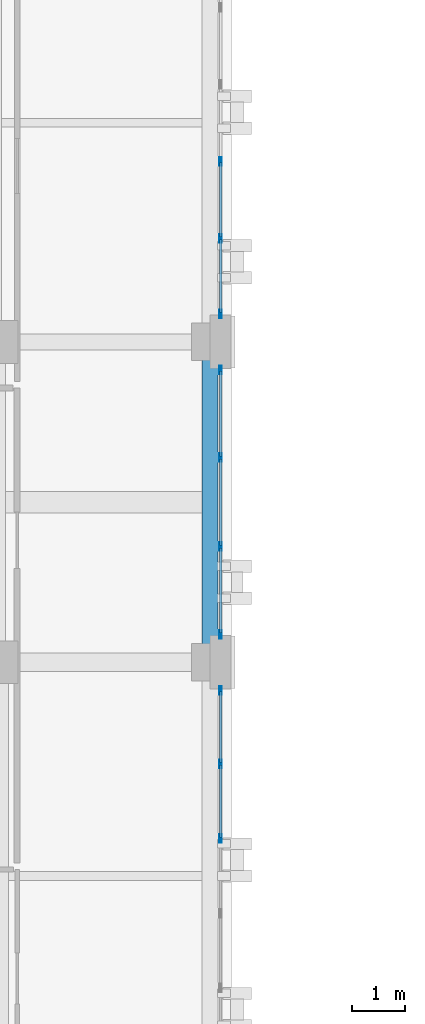
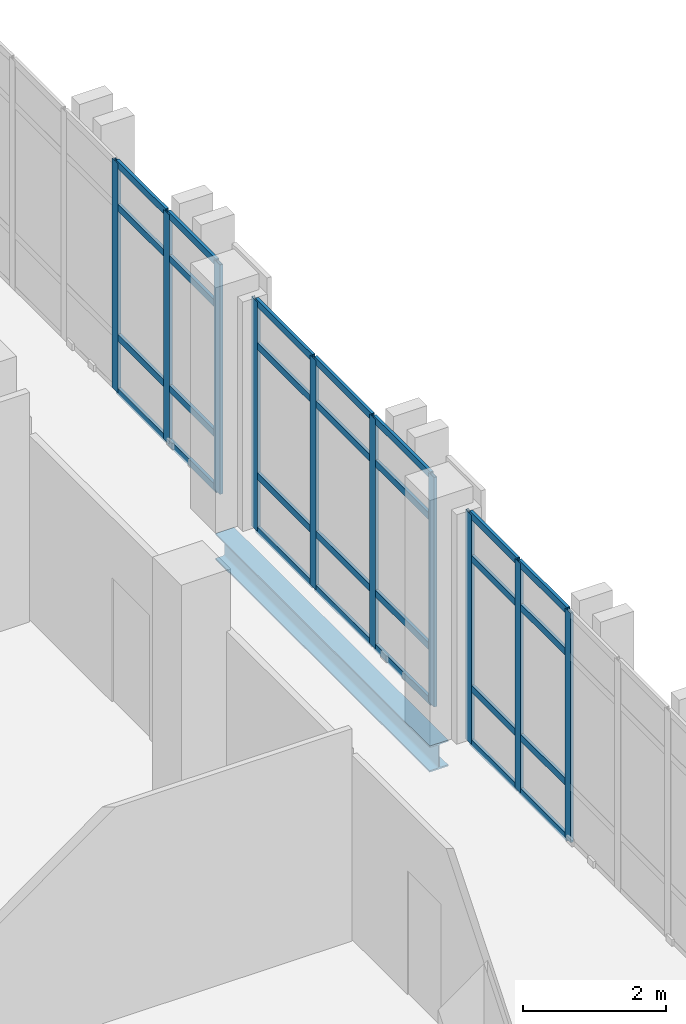
# One storey, part 70 of 158: 38 members, 1 beam, 3 elements without a shape of their own.
"""IFC4 building model written with IfcOpenShell, lengths in metres."""

from ifc_helpers import new_model, si_unit, direction, frame, origin, origin_2d, place, context, subcontext, project, spatial, hollow_rectangle, i_section, extrude, material, layer, layer_set, material_profile, profile_set, type_object, element, aggregate, save


model = new_model("IFC4")

# Units and contexts
model_context = context("Model", 3, precision=1e-05, world=origin(), true_north=direction((0.0, 1.0)))
body_context = subcontext(model_context, "Body", "Model", "MODEL_VIEW")
ifc_project = project(units=[si_unit("LENGTHUNIT", "METRE"), si_unit("AREAUNIT", "SQUARE_METRE"), si_unit("VOLUMEUNIT", "CUBIC_METRE"), si_unit("PLANEANGLEUNIT", "RADIAN"), si_unit("MASSUNIT", "GRAM", prefix="KILO")], contexts=[model_context])

# Site, building, storey
site_placement = place(None, origin())
site = spatial("IfcSite", under=ifc_project, at=site_placement, CompositionType="ELEMENT")
building_placement = place(site_placement, origin())
building = spatial("IfcBuilding", under=site, at=building_placement, Name="Qalavern Law Courts", CompositionType="ELEMENT")
storey_placement = place(building_placement, frame((0.0, 0.0, 18.60009765625)))
storey = spatial("IfcBuildingStorey", under=building, at=storey_placement, Name="L04", CompositionType="ELEMENT", Elevation=18.60009765625)

# Curtain wall, members
ifc_material_1 = material(Name="Anodised aluminium and insulated glazing", Category="aluminium")
ifc_layer = layer(ifc_material_1, 0.159912109375)
ifc_layer_set = layer_set([ifc_layer], Name="Anodised aluminium and insulated glazing")
curtain_wall_type = type_object("IfcCurtainWallType", Name="ENV-CW-CHAMB", PredefinedType="USERDEFINED", material=ifc_layer_set)
curtain_wall_1_placement = place(storey_placement, origin())
curtain_wall_1 = element("IfcCurtainWall", 1, at=curtain_wall_1_placement, inside=storey, type_object=curtain_wall_type, Name="V3 unitised curtain wall L04 east 4", ObjectType="UNITISED CURTAIN WALL", PredefinedType="USERDEFINED")
ifc_material_2 = material(Name="Anodised aluminium", Category="aluminium")
ifc_material_profile_1 = material_profile(ifc_material_2, hollow_rectangle(XDim=0.048095703125, YDim=0.159912109375, WallThickness=0.00390625, at=origin_2d()), Name="ALU MULLION 48x160")
ifc_profile_set_1 = profile_set([ifc_material_profile_1], Name="Anodised aluminium")
member_type_1 = type_object("IfcMemberType", Name="ENV-CWM-48x160", PredefinedType="MULLION", material=ifc_profile_set_1)
member_1_placement = place(storey_placement, frame((18.60009765625, 70.10009765625, 0.0), z_axis=(0.0, 0.0, 1.0), x_axis=(-1.0, 0.0, 0.0)))
member_1 = element("IfcMember", 2, at=member_1_placement, type_object=member_type_1, Name="CW-04 mullion 4", PredefinedType="MULLION", context=body_context, shape_type="SweptSolid", body=[
    extrude(hollow_rectangle(XDim=0.048095703125, YDim=0.159912109375, WallThickness=0.00390625, at=origin_2d()), origin(), (0.0, 0.0, 1.0), 3.9248046875),
])
member_2_placement = place(storey_placement, frame((18.60009765625, 71.5, 0.0), z_axis=(0.0, 0.0, 1.0), x_axis=(-1.0, 0.0, 0.0)))
member_2 = element("IfcMember", 3, at=member_2_placement, type_object=member_type_1, Name="CW-04 mullion 5", PredefinedType="MULLION", context=body_context, shape_type="SweptSolid", body=[
    extrude(hollow_rectangle(XDim=0.048095703125, YDim=0.159912109375, WallThickness=0.00390625, at=origin_2d()), origin(), (0.0, 0.0, 1.0), 3.9248046875),
])
member_3_placement = place(storey_placement, frame((18.60009765625, 72.8759765625, 0.0), z_axis=(0.0, 0.0, 1.0), x_axis=(-1.0, 0.0, 0.0)))
member_3 = element("IfcMember", 4, at=member_3_placement, type_object=member_type_1, Name="CW-04 mullion 6", PredefinedType="MULLION", context=body_context, shape_type="SweptSolid", body=[
    extrude(hollow_rectangle(XDim=0.048095703125, YDim=0.159912109375, WallThickness=0.00390625, at=origin_2d()), origin(), (0.0, 0.0, 1.0), 3.9248046875),
])

curtain_wall_2_placement = place(storey_placement, origin())
curtain_wall_2 = element("IfcCurtainWall", 5, at=curtain_wall_2_placement, inside=storey, type_object=curtain_wall_type, Name="V3 unitised curtain wall L04 east 5", ObjectType="UNITISED CURTAIN WALL", PredefinedType="USERDEFINED")
member_4_placement = place(storey_placement, frame((18.60009765625, 73.924072265625, 0.0), z_axis=(0.0, 0.0, 1.0), x_axis=(-1.0, 0.0, 0.0)))
member_4 = element("IfcMember", 6, at=member_4_placement, type_object=member_type_1, Name="CW-04 mullion 1", PredefinedType="MULLION", context=body_context, shape_type="SweptSolid", body=[
    extrude(hollow_rectangle(XDim=0.048095703125, YDim=0.159912109375, WallThickness=0.00390625, at=origin_2d()), origin(), (0.0, 0.0, 1.0), 3.9248046875),
])
member_5_placement = place(storey_placement, frame((18.60009765625, 75.566650390625, 0.0), z_axis=(0.0, 0.0, 1.0), x_axis=(-1.0, 0.0, 0.0)))
member_5 = element("IfcMember", 7, at=member_5_placement, type_object=member_type_1, Name="CW-04 mullion 2", PredefinedType="MULLION", context=body_context, shape_type="SweptSolid", body=[
    extrude(hollow_rectangle(XDim=0.048095703125, YDim=0.159912109375, WallThickness=0.00390625, at=origin_2d()), origin(), (0.0, 0.0, 1.0), 3.9248046875),
])
member_6_placement = place(storey_placement, frame((18.60009765625, 77.2333984375, 0.0), z_axis=(0.0, 0.0, 1.0), x_axis=(-1.0, 0.0, 0.0)))
member_6 = element("IfcMember", 8, at=member_6_placement, type_object=member_type_1, Name="CW-04 mullion 3", PredefinedType="MULLION", context=body_context, shape_type="SweptSolid", body=[
    extrude(hollow_rectangle(XDim=0.048095703125, YDim=0.159912109375, WallThickness=0.00390625, at=origin_2d()), origin(), (0.0, 0.0, 1.0), 3.9248046875),
])
member_7_placement = place(storey_placement, frame((18.60009765625, 78.8759765625, 0.0), z_axis=(0.0, 0.0, 1.0), x_axis=(-1.0, 0.0, 0.0)))
member_7 = element("IfcMember", 9, at=member_7_placement, type_object=member_type_1, Name="CW-04 mullion 4", PredefinedType="MULLION", context=body_context, shape_type="SweptSolid", body=[
    extrude(hollow_rectangle(XDim=0.048095703125, YDim=0.159912109375, WallThickness=0.00390625, at=origin_2d()), origin(), (0.0, 0.0, 1.0), 3.9248046875),
])

curtain_wall_3_placement = place(storey_placement, origin())
curtain_wall_3 = element("IfcCurtainWall", 10, at=curtain_wall_3_placement, inside=storey, type_object=curtain_wall_type, Name="V3 unitised curtain wall L04 east 6", ObjectType="UNITISED CURTAIN WALL", PredefinedType="USERDEFINED")
member_8_placement = place(storey_placement, frame((18.60009765625, 79.924072265625, 0.0), z_axis=(0.0, 0.0, 1.0), x_axis=(-1.0, 0.0, 0.0)))
member_8 = element("IfcMember", 11, at=member_8_placement, type_object=member_type_1, Name="CW-04 mullion 1", PredefinedType="MULLION", context=body_context, shape_type="SweptSolid", body=[
    extrude(hollow_rectangle(XDim=0.048095703125, YDim=0.159912109375, WallThickness=0.00390625, at=origin_2d()), origin(), (0.0, 0.0, 1.0), 3.9248046875),
])
member_9_placement = place(storey_placement, frame((18.60009765625, 81.340087890625, 0.0), z_axis=(0.0, 0.0, 1.0), x_axis=(-1.0, 0.0, 0.0)))
member_9 = element("IfcMember", 12, at=member_9_placement, type_object=member_type_1, Name="CW-04 mullion 2", PredefinedType="MULLION", context=body_context, shape_type="SweptSolid", body=[
    extrude(hollow_rectangle(XDim=0.048095703125, YDim=0.159912109375, WallThickness=0.00390625, at=origin_2d()), origin(), (0.0, 0.0, 1.0), 3.9248046875),
])
member_10_placement = place(storey_placement, frame((18.60009765625, 82.780029296875, 0.0), z_axis=(0.0, 0.0, 1.0), x_axis=(-1.0, 0.0, 0.0)))
member_10 = element("IfcMember", 13, at=member_10_placement, type_object=member_type_1, Name="CW-04 mullion 3", PredefinedType="MULLION", context=body_context, shape_type="SweptSolid", body=[
    extrude(hollow_rectangle(XDim=0.048095703125, YDim=0.159912109375, WallThickness=0.00390625, at=origin_2d()), origin(), (0.0, 0.0, 1.0), 3.9248046875),
])

# Member
ifc_material_profile_2 = material_profile(ifc_material_2, hollow_rectangle(XDim=0.048095703125, YDim=0.1201171875, WallThickness=0.00390625, at=origin_2d()), Name="ALU TRANSOM 48x120")
ifc_profile_set_2 = profile_set([ifc_material_profile_2], Name="Anodised aluminium")
member_type_2 = type_object("IfcMemberType", Name="ENV-CWT-48x120", PredefinedType="USERDEFINED", material=ifc_profile_set_2)
member_11_placement = place(storey_placement, frame((18.60009765625, 70.1240234375, 0.02392578125), z_axis=(0.0, 1.0, 0.0), x_axis=(-1.0, 0.0, 0.0)))
member_11 = element("IfcMember", 14, at=member_11_placement, type_object=member_type_2, Name="CW-04 transom 4.1", ObjectType="TRANSOM", PredefinedType="USERDEFINED", context=body_context, shape_type="SweptSolid", body=[
    extrude(hollow_rectangle(XDim=0.048095703125, YDim=0.1201171875, WallThickness=0.00390625, at=origin_2d()), origin(), (0.0, 0.0, 1.0), 1.35205078125),
])

member_12_placement = place(storey_placement, frame((18.60009765625, 70.1240234375, 0.949951171875), z_axis=(0.0, 1.0, 0.0), x_axis=(-1.0, 0.0, 0.0)))
member_12 = element("IfcMember", 15, at=member_12_placement, type_object=member_type_2, Name="CW-04 transom 4.2", ObjectType="TRANSOM", PredefinedType="USERDEFINED", context=body_context, shape_type="SweptSolid", body=[
    extrude(hollow_rectangle(XDim=0.048095703125, YDim=0.1201171875, WallThickness=0.00390625, at=origin_2d()), origin(), (0.0, 0.0, 1.0), 1.35205078125),
])

member_13_placement = place(storey_placement, frame((18.60009765625, 70.1240234375, 3.1748046875), z_axis=(0.0, 1.0, 0.0), x_axis=(-1.0, 0.0, 0.0)))
member_13 = element("IfcMember", 16, at=member_13_placement, type_object=member_type_2, Name="CW-04 transom 4.3", ObjectType="TRANSOM", PredefinedType="USERDEFINED", context=body_context, shape_type="SweptSolid", body=[
    extrude(hollow_rectangle(XDim=0.048095703125, YDim=0.1201171875, WallThickness=0.00390625, at=origin_2d()), origin(), (0.0, 0.0, 1.0), 1.35205078125),
])

member_14_placement = place(storey_placement, frame((18.60009765625, 70.1240234375, 3.90087890625), z_axis=(0.0, 1.0, 0.0), x_axis=(-1.0, 0.0, 0.0)))
member_14 = element("IfcMember", 17, at=member_14_placement, type_object=member_type_2, Name="CW-04 transom 4.4", ObjectType="TRANSOM", PredefinedType="USERDEFINED", context=body_context, shape_type="SweptSolid", body=[
    extrude(hollow_rectangle(XDim=0.048095703125, YDim=0.1201171875, WallThickness=0.00390625, at=origin_2d()), origin(), (0.0, 0.0, 1.0), 1.35205078125),
])

member_15_placement = place(storey_placement, frame((18.60009765625, 71.52392578125, 0.02392578125), z_axis=(0.0, 1.0, 0.0), x_axis=(-1.0, 0.0, 0.0)))
member_15 = element("IfcMember", 18, at=member_15_placement, type_object=member_type_2, Name="CW-04 transom 5.1", ObjectType="TRANSOM", PredefinedType="USERDEFINED", context=body_context, shape_type="SweptSolid", body=[
    extrude(hollow_rectangle(XDim=0.048095703125, YDim=0.1201171875, WallThickness=0.00390625, at=origin_2d()), origin(), (0.0, 0.0, 1.0), 1.328125),
])

member_16_placement = place(storey_placement, frame((18.60009765625, 71.52392578125, 0.949951171875), z_axis=(0.0, 1.0, 0.0), x_axis=(-1.0, 0.0, 0.0)))
member_16 = element("IfcMember", 19, at=member_16_placement, type_object=member_type_2, Name="CW-04 transom 5.2", ObjectType="TRANSOM", PredefinedType="USERDEFINED", context=body_context, shape_type="SweptSolid", body=[
    extrude(hollow_rectangle(XDim=0.048095703125, YDim=0.1201171875, WallThickness=0.00390625, at=origin_2d()), origin(), (0.0, 0.0, 1.0), 1.328125),
])

member_17_placement = place(storey_placement, frame((18.60009765625, 71.52392578125, 3.1748046875), z_axis=(0.0, 1.0, 0.0), x_axis=(-1.0, 0.0, 0.0)))
member_17 = element("IfcMember", 20, at=member_17_placement, type_object=member_type_2, Name="CW-04 transom 5.3", ObjectType="TRANSOM", PredefinedType="USERDEFINED", context=body_context, shape_type="SweptSolid", body=[
    extrude(hollow_rectangle(XDim=0.048095703125, YDim=0.1201171875, WallThickness=0.00390625, at=origin_2d()), origin(), (0.0, 0.0, 1.0), 1.328125),
])

member_18_placement = place(storey_placement, frame((18.60009765625, 71.52392578125, 3.90087890625), z_axis=(0.0, 1.0, 0.0), x_axis=(-1.0, 0.0, 0.0)))
member_18 = element("IfcMember", 21, at=member_18_placement, type_object=member_type_2, Name="CW-04 transom 5.4", ObjectType="TRANSOM", PredefinedType="USERDEFINED", context=body_context, shape_type="SweptSolid", body=[
    extrude(hollow_rectangle(XDim=0.048095703125, YDim=0.1201171875, WallThickness=0.00390625, at=origin_2d()), origin(), (0.0, 0.0, 1.0), 1.328125),
])

aggregate(curtain_wall_1, [member_1, member_2, member_3, member_11, member_12, member_13, member_14, member_15, member_16, member_17, member_18])

member_19_placement = place(storey_placement, frame((18.60009765625, 73.947998046875, 0.02392578125), z_axis=(0.0, 1.0, 0.0), x_axis=(-1.0, 0.0, 0.0)))
member_19 = element("IfcMember", 22, at=member_19_placement, type_object=member_type_2, Name="CW-04 transom 1.1", ObjectType="TRANSOM", PredefinedType="USERDEFINED", context=body_context, shape_type="SweptSolid", body=[
    extrude(hollow_rectangle(XDim=0.048095703125, YDim=0.1201171875, WallThickness=0.00390625, at=origin_2d()), origin(), (0.0, 0.0, 1.0), 1.5947265625),
])

member_20_placement = place(storey_placement, frame((18.60009765625, 73.947998046875, 0.949951171875), z_axis=(0.0, 1.0, 0.0), x_axis=(-1.0, 0.0, 0.0)))
member_20 = element("IfcMember", 23, at=member_20_placement, type_object=member_type_2, Name="CW-04 transom 1.2", ObjectType="TRANSOM", PredefinedType="USERDEFINED", context=body_context, shape_type="SweptSolid", body=[
    extrude(hollow_rectangle(XDim=0.048095703125, YDim=0.1201171875, WallThickness=0.00390625, at=origin_2d()), origin(), (0.0, 0.0, 1.0), 1.5947265625),
])

member_21_placement = place(storey_placement, frame((18.60009765625, 73.947998046875, 3.1748046875), z_axis=(0.0, 1.0, 0.0), x_axis=(-1.0, 0.0, 0.0)))
member_21 = element("IfcMember", 24, at=member_21_placement, type_object=member_type_2, Name="CW-04 transom 1.3", ObjectType="TRANSOM", PredefinedType="USERDEFINED", context=body_context, shape_type="SweptSolid", body=[
    extrude(hollow_rectangle(XDim=0.048095703125, YDim=0.1201171875, WallThickness=0.00390625, at=origin_2d()), origin(), (0.0, 0.0, 1.0), 1.5947265625),
])

member_22_placement = place(storey_placement, frame((18.60009765625, 73.947998046875, 3.90087890625), z_axis=(0.0, 1.0, 0.0), x_axis=(-1.0, 0.0, 0.0)))
member_22 = element("IfcMember", 25, at=member_22_placement, type_object=member_type_2, Name="CW-04 transom 1.4", ObjectType="TRANSOM", PredefinedType="USERDEFINED", context=body_context, shape_type="SweptSolid", body=[
    extrude(hollow_rectangle(XDim=0.048095703125, YDim=0.1201171875, WallThickness=0.00390625, at=origin_2d()), origin(), (0.0, 0.0, 1.0), 1.5947265625),
])

member_23_placement = place(storey_placement, frame((18.60009765625, 75.590576171875, 0.02392578125), z_axis=(0.0, 1.0, 0.0), x_axis=(-1.0, 0.0, 0.0)))
member_23 = element("IfcMember", 26, at=member_23_placement, type_object=member_type_2, Name="CW-04 transom 2.1", ObjectType="TRANSOM", PredefinedType="USERDEFINED", context=body_context, shape_type="SweptSolid", body=[
    extrude(hollow_rectangle(XDim=0.048095703125, YDim=0.1201171875, WallThickness=0.00390625, at=origin_2d()), origin(), (0.0, 0.0, 1.0), 1.61865234375),
])

member_24_placement = place(storey_placement, frame((18.60009765625, 75.590576171875, 0.949951171875), z_axis=(0.0, 1.0, 0.0), x_axis=(-1.0, 0.0, 0.0)))
member_24 = element("IfcMember", 27, at=member_24_placement, type_object=member_type_2, Name="CW-04 transom 2.2", ObjectType="TRANSOM", PredefinedType="USERDEFINED", context=body_context, shape_type="SweptSolid", body=[
    extrude(hollow_rectangle(XDim=0.048095703125, YDim=0.1201171875, WallThickness=0.00390625, at=origin_2d()), origin(), (0.0, 0.0, 1.0), 1.61865234375),
])

member_25_placement = place(storey_placement, frame((18.60009765625, 75.590576171875, 3.1748046875), z_axis=(0.0, 1.0, 0.0), x_axis=(-1.0, 0.0, 0.0)))
member_25 = element("IfcMember", 28, at=member_25_placement, type_object=member_type_2, Name="CW-04 transom 2.3", ObjectType="TRANSOM", PredefinedType="USERDEFINED", context=body_context, shape_type="SweptSolid", body=[
    extrude(hollow_rectangle(XDim=0.048095703125, YDim=0.1201171875, WallThickness=0.00390625, at=origin_2d()), origin(), (0.0, 0.0, 1.0), 1.61865234375),
])

member_26_placement = place(storey_placement, frame((18.60009765625, 75.590576171875, 3.90087890625), z_axis=(0.0, 1.0, 0.0), x_axis=(-1.0, 0.0, 0.0)))
member_26 = element("IfcMember", 29, at=member_26_placement, type_object=member_type_2, Name="CW-04 transom 2.4", ObjectType="TRANSOM", PredefinedType="USERDEFINED", context=body_context, shape_type="SweptSolid", body=[
    extrude(hollow_rectangle(XDim=0.048095703125, YDim=0.1201171875, WallThickness=0.00390625, at=origin_2d()), origin(), (0.0, 0.0, 1.0), 1.61865234375),
])

member_27_placement = place(storey_placement, frame((18.60009765625, 77.25732421875, 0.02392578125), z_axis=(0.0, 1.0, 0.0), x_axis=(-1.0, 0.0, 0.0)))
member_27 = element("IfcMember", 30, at=member_27_placement, type_object=member_type_2, Name="CW-04 transom 3.1", ObjectType="TRANSOM", PredefinedType="USERDEFINED", context=body_context, shape_type="SweptSolid", body=[
    extrude(hollow_rectangle(XDim=0.048095703125, YDim=0.1201171875, WallThickness=0.00390625, at=origin_2d()), origin(), (0.0, 0.0, 1.0), 1.5947265625),
])

member_28_placement = place(storey_placement, frame((18.60009765625, 77.25732421875, 0.949951171875), z_axis=(0.0, 1.0, 0.0), x_axis=(-1.0, 0.0, 0.0)))
member_28 = element("IfcMember", 31, at=member_28_placement, type_object=member_type_2, Name="CW-04 transom 3.2", ObjectType="TRANSOM", PredefinedType="USERDEFINED", context=body_context, shape_type="SweptSolid", body=[
    extrude(hollow_rectangle(XDim=0.048095703125, YDim=0.1201171875, WallThickness=0.00390625, at=origin_2d()), origin(), (0.0, 0.0, 1.0), 1.5947265625),
])

member_29_placement = place(storey_placement, frame((18.60009765625, 77.25732421875, 3.1748046875), z_axis=(0.0, 1.0, 0.0), x_axis=(-1.0, 0.0, 0.0)))
member_29 = element("IfcMember", 32, at=member_29_placement, type_object=member_type_2, Name="CW-04 transom 3.3", ObjectType="TRANSOM", PredefinedType="USERDEFINED", context=body_context, shape_type="SweptSolid", body=[
    extrude(hollow_rectangle(XDim=0.048095703125, YDim=0.1201171875, WallThickness=0.00390625, at=origin_2d()), origin(), (0.0, 0.0, 1.0), 1.5947265625),
])

member_30_placement = place(storey_placement, frame((18.60009765625, 77.25732421875, 3.90087890625), z_axis=(0.0, 1.0, 0.0), x_axis=(-1.0, 0.0, 0.0)))
member_30 = element("IfcMember", 33, at=member_30_placement, type_object=member_type_2, Name="CW-04 transom 3.4", ObjectType="TRANSOM", PredefinedType="USERDEFINED", context=body_context, shape_type="SweptSolid", body=[
    extrude(hollow_rectangle(XDim=0.048095703125, YDim=0.1201171875, WallThickness=0.00390625, at=origin_2d()), origin(), (0.0, 0.0, 1.0), 1.5947265625),
])

aggregate(curtain_wall_2, [member_4, member_5, member_6, member_7, member_19, member_20, member_21, member_22, member_23, member_24, member_25, member_26, member_27, member_28, member_29, member_30])

member_31_placement = place(storey_placement, frame((18.60009765625, 79.947998046875, 0.02392578125), z_axis=(0.0, 1.0, 0.0), x_axis=(-1.0, 0.0, 0.0)))
member_31 = element("IfcMember", 34, at=member_31_placement, type_object=member_type_2, Name="CW-04 transom 1.1", ObjectType="TRANSOM", PredefinedType="USERDEFINED", context=body_context, shape_type="SweptSolid", body=[
    extrude(hollow_rectangle(XDim=0.048095703125, YDim=0.1201171875, WallThickness=0.00390625, at=origin_2d()), origin(), (0.0, 0.0, 1.0), 1.367919921875),
])

member_32_placement = place(storey_placement, frame((18.60009765625, 79.947998046875, 0.949951171875), z_axis=(0.0, 1.0, 0.0), x_axis=(-1.0, 0.0, 0.0)))
member_32 = element("IfcMember", 35, at=member_32_placement, type_object=member_type_2, Name="CW-04 transom 1.2", ObjectType="TRANSOM", PredefinedType="USERDEFINED", context=body_context, shape_type="SweptSolid", body=[
    extrude(hollow_rectangle(XDim=0.048095703125, YDim=0.1201171875, WallThickness=0.00390625, at=origin_2d()), origin(), (0.0, 0.0, 1.0), 1.367919921875),
])

member_33_placement = place(storey_placement, frame((18.60009765625, 79.947998046875, 3.1748046875), z_axis=(0.0, 1.0, 0.0), x_axis=(-1.0, 0.0, 0.0)))
member_33 = element("IfcMember", 36, at=member_33_placement, type_object=member_type_2, Name="CW-04 transom 1.3", ObjectType="TRANSOM", PredefinedType="USERDEFINED", context=body_context, shape_type="SweptSolid", body=[
    extrude(hollow_rectangle(XDim=0.048095703125, YDim=0.1201171875, WallThickness=0.00390625, at=origin_2d()), origin(), (0.0, 0.0, 1.0), 1.367919921875),
])

member_34_placement = place(storey_placement, frame((18.60009765625, 79.947998046875, 3.90087890625), z_axis=(0.0, 1.0, 0.0), x_axis=(-1.0, 0.0, 0.0)))
member_34 = element("IfcMember", 37, at=member_34_placement, type_object=member_type_2, Name="CW-04 transom 1.4", ObjectType="TRANSOM", PredefinedType="USERDEFINED", context=body_context, shape_type="SweptSolid", body=[
    extrude(hollow_rectangle(XDim=0.048095703125, YDim=0.1201171875, WallThickness=0.00390625, at=origin_2d()), origin(), (0.0, 0.0, 1.0), 1.367919921875),
])

member_35_placement = place(storey_placement, frame((18.60009765625, 81.364013671875, 0.02392578125), z_axis=(0.0, 1.0, 0.0), x_axis=(-1.0, 0.0, 0.0)))
member_35 = element("IfcMember", 38, at=member_35_placement, type_object=member_type_2, Name="CW-04 transom 2.1", ObjectType="TRANSOM", PredefinedType="USERDEFINED", context=body_context, shape_type="SweptSolid", body=[
    extrude(hollow_rectangle(XDim=0.048095703125, YDim=0.1201171875, WallThickness=0.00390625, at=origin_2d()), origin(), (0.0, 0.0, 1.0), 1.39208984375),
])

member_36_placement = place(storey_placement, frame((18.60009765625, 81.364013671875, 0.949951171875), z_axis=(0.0, 1.0, 0.0), x_axis=(-1.0, 0.0, 0.0)))
member_36 = element("IfcMember", 39, at=member_36_placement, type_object=member_type_2, Name="CW-04 transom 2.2", ObjectType="TRANSOM", PredefinedType="USERDEFINED", context=body_context, shape_type="SweptSolid", body=[
    extrude(hollow_rectangle(XDim=0.048095703125, YDim=0.1201171875, WallThickness=0.00390625, at=origin_2d()), origin(), (0.0, 0.0, 1.0), 1.39208984375),
])

member_37_placement = place(storey_placement, frame((18.60009765625, 81.364013671875, 3.1748046875), z_axis=(0.0, 1.0, 0.0), x_axis=(-1.0, 0.0, 0.0)))
member_37 = element("IfcMember", 40, at=member_37_placement, type_object=member_type_2, Name="CW-04 transom 2.3", ObjectType="TRANSOM", PredefinedType="USERDEFINED", context=body_context, shape_type="SweptSolid", body=[
    extrude(hollow_rectangle(XDim=0.048095703125, YDim=0.1201171875, WallThickness=0.00390625, at=origin_2d()), origin(), (0.0, 0.0, 1.0), 1.39208984375),
])

member_38_placement = place(storey_placement, frame((18.60009765625, 81.364013671875, 3.90087890625), z_axis=(0.0, 1.0, 0.0), x_axis=(-1.0, 0.0, 0.0)))
member_38 = element("IfcMember", 41, at=member_38_placement, type_object=member_type_2, Name="CW-04 transom 2.4", ObjectType="TRANSOM", PredefinedType="USERDEFINED", context=body_context, shape_type="SweptSolid", body=[
    extrude(hollow_rectangle(XDim=0.048095703125, YDim=0.1201171875, WallThickness=0.00390625, at=origin_2d()), origin(), (0.0, 0.0, 1.0), 1.39208984375),
])

aggregate(curtain_wall_3, [member_8, member_9, member_10, member_31, member_32, member_33, member_34, member_35, member_36, member_37, member_38])

# Beam
ifc_material_3 = material(Name="Steel S355", Category="steel")
ifc_material_profile_3 = material_profile(ifc_material_3, i_section(OverallWidth=0.300048828125, OverallDepth=0.449951171875, WebThickness=0.013916015625, FlangeThickness=0.02587890625, FilletRadius=0.027099609375, at=origin_2d()), Name="HEB 450")
ifc_profile_set_3 = profile_set([ifc_material_profile_3], Name="Steel S355")
beam_type = type_object("IfcBeamType", Name="STR-SP-HEB450", PredefinedType="SPANDREL", material=ifc_profile_set_3)
beam_placement = place(storey_placement, frame((18.39990234375, 73.39990234375, -0.505126953125), z_axis=(0.0, 1.0, 0.0), x_axis=(-1.0, 0.0, 0.0)))
element("IfcBeam", 42, at=beam_placement, inside=storey, type_object=beam_type, Name="V3 Y-beam 3-5 L04", PredefinedType="SPANDREL", context=body_context, shape_type="SweptSolid", body=[
    extrude(i_section(OverallWidth=0.300048828125, OverallDepth=0.449951171875, WebThickness=0.013916015625, FlangeThickness=0.02587890625, FilletRadius=0.027099609375, at=origin_2d()), origin(), (0.0, 0.0, 1.0), 6.0),
])

save(model, "model.ifc")
